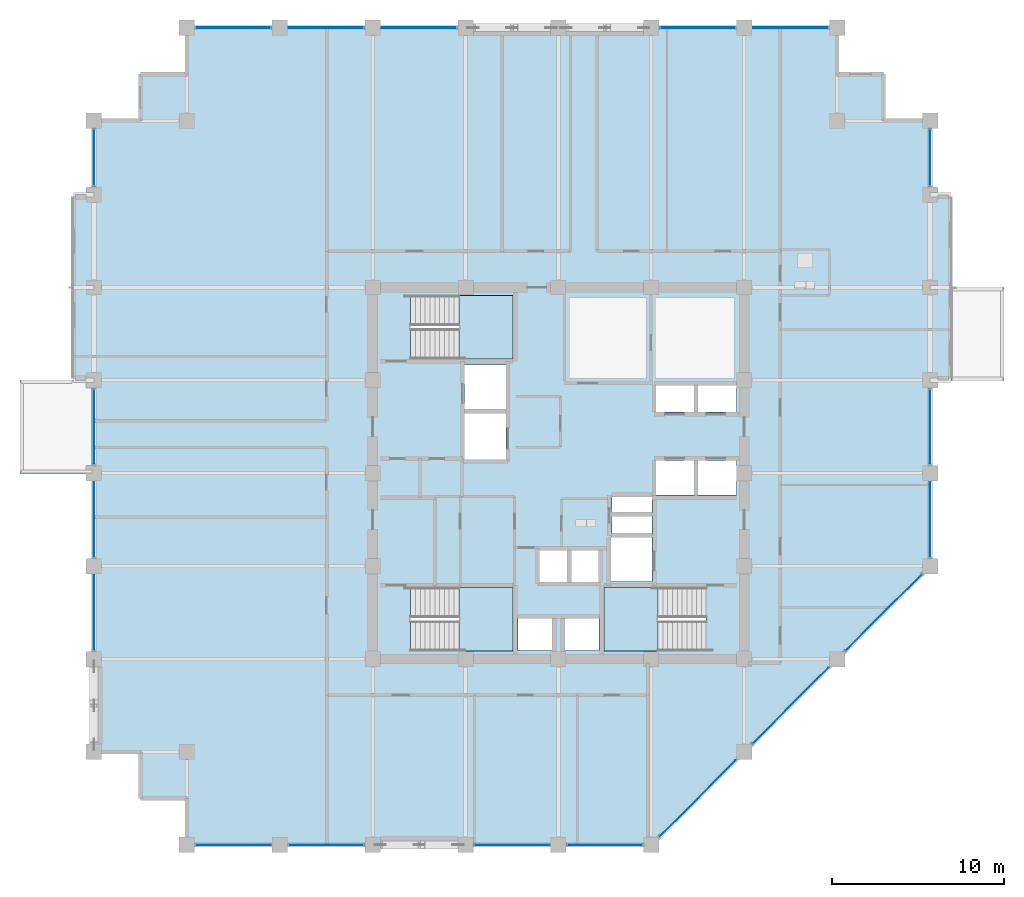
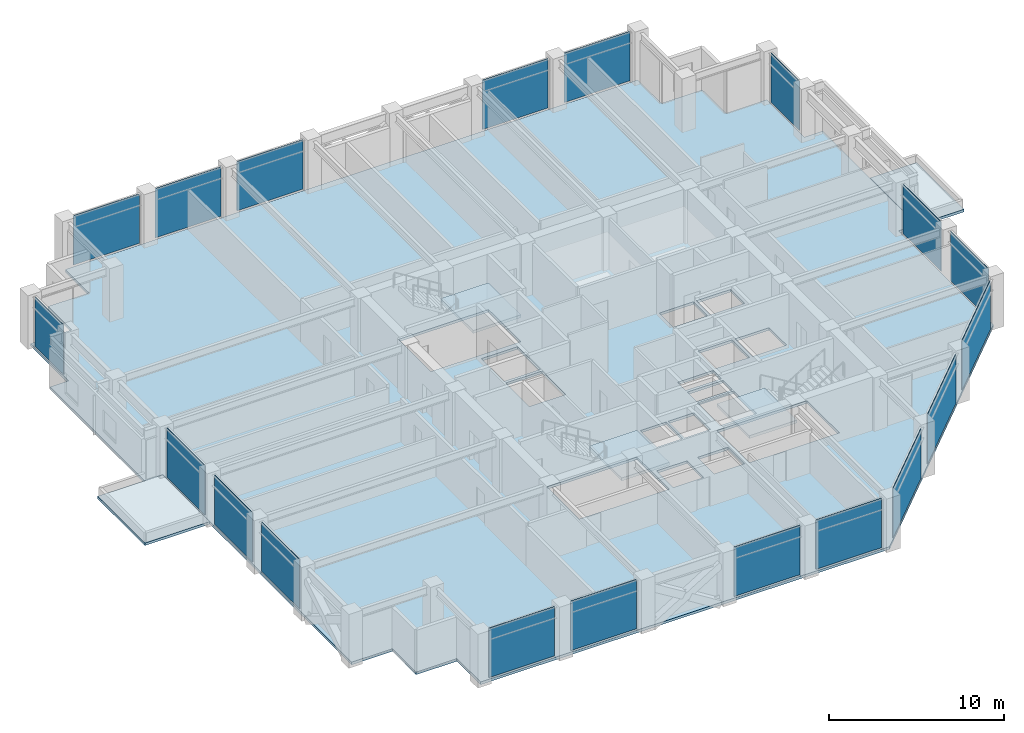
# One storey, part 21 of 28: 19 plates, 6 slabs, 12 elements without a shape of their own.
"""IFC4 building model written with IfcOpenShell, lengths in metres."""

from ifc_helpers import new_model, si_unit, direction, frame, frame_2d, origin, place, context, subcontext, project, spatial, polyline, rectangle, outline, extrude, material, layer, layer_set, type_object, element, aggregate, save


model = new_model("IFC4")

# Units and contexts
model_context = context("Model", 3, precision=1e-05, world=origin(), true_north=direction((0.0, 1.0)))
body_context = subcontext(model_context, "Body", "Model", "MODEL_VIEW")
ifc_project = project(units=[si_unit("LENGTHUNIT", "METRE"), si_unit("AREAUNIT", "SQUARE_METRE"), si_unit("VOLUMEUNIT", "CUBIC_METRE"), si_unit("PLANEANGLEUNIT", "RADIAN"), si_unit("MASSUNIT", "GRAM", prefix="KILO")], contexts=[model_context])

# Site, building, storey
site_placement = place(None, origin())
site = spatial("IfcSite", under=ifc_project, at=site_placement, CompositionType="ELEMENT")
building_placement = place(site_placement, origin())
building = spatial("IfcBuilding", under=site, at=building_placement, Name="Surkhivell Harbour Commons", CompositionType="ELEMENT")
storey_placement = place(building_placement, frame((0.0, 0.0, 182.25)))
storey = spatial("IfcBuildingStorey", under=building, at=storey_placement, Name="L47", CompositionType="ELEMENT", Elevation=182.25)

# Curtain wall, plates
ifc_material_1 = material(Name="Anodised pale-metal aluminium and insulated glazing", Category="aluminium")
ifc_layer_1 = layer(ifc_material_1, 0.18994140625)
ifc_layer_set_1 = layer_set([ifc_layer_1], Name="Anodised pale-metal aluminium and insulated glazing")
curtain_wall_type = type_object("IfcCurtainWallType", Name="CW-SYS-Z3", PredefinedType="NOTDEFINED", material=ifc_layer_set_1)
curtain_wall_1_placement = place(storey_placement, origin())
curtain_wall_1 = element("IfcCurtainWall", 1, at=curtain_wall_1_placement, inside=storey, type_object=curtain_wall_type, Name="L47 Curtain Wall CW-L47-E00S1", PredefinedType="NOTDEFINED")
ifc_material_2 = material(Name="High-pressure typhoon laminated vision glass", Category="glass")
ifc_layer_2 = layer(ifc_material_2, 0.035888671875)
ifc_layer_set_2 = layer_set([ifc_layer_2], Name="High-pressure typhoon laminated vision glass")
plate_type = type_object("IfcPlateType", Name="CWP-GLZ-36", PredefinedType="CURTAIN_PANEL", material=ifc_layer_set_2)
plate_1_placement = place(storey_placement, frame((-21.072998046875, -21.60009765625, 0.1298828125), z_axis=(0.0, 0.0, 1.0), x_axis=(1.0, 0.0, 0.0)))
plate_1 = element("IfcPlate", 2, at=plate_1_placement, type_object=plate_type, Name="CW-Z3 panel 1.1", PredefinedType="CURTAIN_PANEL", context=body_context, shape_type="SweptSolid", body=[
    extrude(rectangle(XDim=4.345947265625, YDim=0.035888671875, at=frame_2d((2.1728515625, 0.0))), origin(), (0.0, 0.0, 1.0), 3.440185546875),
])
plate_2_placement = place(storey_placement, frame((-15.673095703125, -21.60009765625, 0.1298828125), z_axis=(0.0, 0.0, 1.0), x_axis=(1.0, 0.0, 0.0)))
plate_2 = element("IfcPlate", 3, at=plate_2_placement, type_object=plate_type, Name="CW-Z3 panel 2.1", PredefinedType="CURTAIN_PANEL", context=body_context, shape_type="SweptSolid", body=[
    extrude(rectangle(XDim=4.34619140625, YDim=0.035888671875, at=frame_2d((2.173095703125, 0.0))), origin(), (0.0, 0.0, 1.0), 3.440185546875),
])
aggregate(curtain_wall_1, [plate_1, plate_2])

curtain_wall_2_placement = place(storey_placement, origin())
curtain_wall_2 = element("IfcCurtainWall", 4, at=curtain_wall_2_placement, inside=storey, type_object=curtain_wall_type, Name="L47 Curtain Wall CW-L47-E00S2", PredefinedType="NOTDEFINED")
plate_3_placement = place(storey_placement, frame((-4.873046875, -21.60009765625, 0.1298828125), z_axis=(0.0, 0.0, 1.0), x_axis=(1.0, 0.0, 0.0)))
plate_3 = element("IfcPlate", 5, at=plate_3_placement, type_object=plate_type, Name="CW-Z3 panel 1.1", PredefinedType="CURTAIN_PANEL", context=body_context, shape_type="SweptSolid", body=[
    extrude(rectangle(XDim=4.345947265625, YDim=0.035888671875, at=frame_2d((2.1728515625, 0.0))), origin(), (0.0, 0.0, 1.0), 3.440185546875),
])
plate_4_placement = place(storey_placement, frame((0.527099609375, -21.60009765625, 0.1298828125), z_axis=(0.0, 0.0, 1.0), x_axis=(1.0, 0.0, 0.0)))
plate_4 = element("IfcPlate", 6, at=plate_4_placement, type_object=plate_type, Name="CW-Z3 panel 2.1", PredefinedType="CURTAIN_PANEL", context=body_context, shape_type="SweptSolid", body=[
    extrude(rectangle(XDim=4.345947265625, YDim=0.035888671875, at=frame_2d((2.1728515625, 0.0))), origin(), (0.0, 0.0, 1.0), 3.440185546875),
])
aggregate(curtain_wall_2, [plate_3, plate_4])

curtain_wall_3_placement = place(storey_placement, origin())
curtain_wall_3 = element("IfcCurtainWall", 7, at=curtain_wall_3_placement, inside=storey, type_object=curtain_wall_type, Name="L47 Curtain Wall CW-L47-E01", PredefinedType="NOTDEFINED")
plate_5_placement = place(storey_placement, frame((5.90478515625, -21.09521484375, 0.1298828125), z_axis=(0.0, 0.0, 1.0), x_axis=(0.707106781187, 0.707106781187, 0.0)))
plate_5 = element("IfcPlate", 8, at=plate_5_placement, type_object=plate_type, Name="CW-Z3 panel 1.1", PredefinedType="CURTAIN_PANEL", context=body_context, shape_type="SweptSolid", body=[
    extrude(rectangle(XDim=6.209228515625, YDim=0.035888671875, at=frame_2d((3.1044921875, 0.0))), origin(), (0.0, 0.0, 1.0), 3.440185546875),
])
plate_6_placement = place(storey_placement, frame((11.3046875, -15.6953125, 0.1298828125), z_axis=(0.0, 0.0, 1.0), x_axis=(0.707106781187, 0.707106781187, 0.0)))
plate_6 = element("IfcPlate", 9, at=plate_6_placement, type_object=plate_type, Name="CW-Z3 panel 2.1", PredefinedType="CURTAIN_PANEL", context=body_context, shape_type="SweptSolid", body=[
    extrude(rectangle(XDim=6.209228515625, YDim=0.035888671875, at=frame_2d((3.1044921875, 0.0))), origin(), (0.0, 0.0, 1.0), 3.440185546875),
])
plate_7_placement = place(storey_placement, frame((16.70458984375, -10.29541015625, 0.1298828125), z_axis=(0.0, 0.0, 1.0), x_axis=(0.707106781187, 0.707106781187, 0.0)))
plate_7 = element("IfcPlate", 10, at=plate_7_placement, type_object=plate_type, Name="CW-Z3 panel 3.1", PredefinedType="CURTAIN_PANEL", context=body_context, shape_type="SweptSolid", body=[
    extrude(rectangle(XDim=6.209228515625, YDim=0.035888671875, at=frame_2d((3.1044921875, 0.0))), origin(), (0.0, 0.0, 1.0), 3.440185546875),
])
aggregate(curtain_wall_3, [plate_5, plate_6, plate_7])

curtain_wall_4_placement = place(storey_placement, origin())
curtain_wall_4 = element("IfcCurtainWall", 11, at=curtain_wall_4_placement, inside=storey, type_object=curtain_wall_type, Name="L47 Curtain Wall CW-L47-E02R1", PredefinedType="NOTDEFINED")
plate_8_placement = place(storey_placement, frame((21.60009765625, -4.873046875, 0.1298828125), z_axis=(0.0, 0.0, 1.0), x_axis=(0.0, 1.0, 0.0)))
plate_8 = element("IfcPlate", 12, at=plate_8_placement, type_object=plate_type, Name="CW-Z3 panel 1.1", PredefinedType="CURTAIN_PANEL", context=body_context, shape_type="SweptSolid", body=[
    extrude(rectangle(XDim=4.345947265625, YDim=0.035888671875, at=frame_2d((2.1728515625, 0.0))), origin(), (0.0, 0.0, 1.0), 3.440185546875),
])
plate_9_placement = place(storey_placement, frame((21.60009765625, 0.527099609375, 0.1298828125), z_axis=(0.0, 0.0, 1.0), x_axis=(0.0, 1.0, 0.0)))
plate_9 = element("IfcPlate", 13, at=plate_9_placement, type_object=plate_type, Name="CW-Z3 panel 2.1", PredefinedType="CURTAIN_PANEL", context=body_context, shape_type="SweptSolid", body=[
    extrude(rectangle(XDim=4.345947265625, YDim=0.035888671875, at=frame_2d((2.1728515625, 0.0))), origin(), (0.0, 0.0, 1.0), 3.440185546875),
])
aggregate(curtain_wall_4, [plate_8, plate_9])

# Curtain wall, plate
curtain_wall_5_placement = place(storey_placement, origin())
curtain_wall_5 = element("IfcCurtainWall", 14, at=curtain_wall_5_placement, inside=storey, type_object=curtain_wall_type, Name="L47 Curtain Wall CW-L47-E02R2", PredefinedType="NOTDEFINED")
plate_10_placement = place(storey_placement, frame((21.60009765625, 16.72705078125, 0.1298828125), z_axis=(0.0, 0.0, 1.0), x_axis=(0.0, 1.0, 0.0)))
plate_10 = element("IfcPlate", 15, at=plate_10_placement, type_object=plate_type, Name="CW-Z3 panel 1.1", PredefinedType="CURTAIN_PANEL", context=body_context, shape_type="SweptSolid", body=[
    extrude(rectangle(XDim=3.245849609375, YDim=0.035888671875, at=frame_2d((1.623046875, 0.0))), origin(), (0.0, 0.0, 1.0), 3.440185546875),
])
aggregate(curtain_wall_5, [plate_10])

# Curtain wall, plates
curtain_wall_6_placement = place(storey_placement, origin())
curtain_wall_6 = element("IfcCurtainWall", 16, at=curtain_wall_6_placement, inside=storey, type_object=curtain_wall_type, Name="L47 Curtain Wall CW-L47-E07S1", PredefinedType="NOTDEFINED")
plate_11_placement = place(storey_placement, frame((15.673095703125, 25.89990234375, 0.1298828125), z_axis=(0.0, 0.0, 1.0), x_axis=(-1.0, 0.0, 0.0)))
plate_11 = element("IfcPlate", 17, at=plate_11_placement, type_object=plate_type, Name="CW-Z3 panel 1.1", PredefinedType="CURTAIN_PANEL", context=body_context, shape_type="SweptSolid", body=[
    extrude(rectangle(XDim=4.34619140625, YDim=0.035888671875, at=frame_2d((2.173095703125, 0.0))), origin(), (0.0, 0.0, 1.0), 3.440185546875),
])
plate_12_placement = place(storey_placement, frame((10.27294921875, 25.89990234375, 0.1298828125), z_axis=(0.0, 0.0, 1.0), x_axis=(-1.0, 0.0, 0.0)))
plate_12 = element("IfcPlate", 18, at=plate_12_placement, type_object=plate_type, Name="CW-Z3 panel 2.1", PredefinedType="CURTAIN_PANEL", context=body_context, shape_type="SweptSolid", body=[
    extrude(rectangle(XDim=4.345947265625, YDim=0.035888671875, at=frame_2d((2.1728515625, 0.0))), origin(), (0.0, 0.0, 1.0), 3.440185546875),
])
aggregate(curtain_wall_6, [plate_11, plate_12])

curtain_wall_7_placement = place(storey_placement, origin())
curtain_wall_7 = element("IfcCurtainWall", 19, at=curtain_wall_7_placement, inside=storey, type_object=curtain_wall_type, Name="L47 Curtain Wall CW-L47-E07S2", PredefinedType="NOTDEFINED")
plate_13_placement = place(storey_placement, frame((-5.927001953125, 25.89990234375, 0.1298828125), z_axis=(0.0, 0.0, 1.0), x_axis=(-1.0, 0.0, 0.0)))
plate_13 = element("IfcPlate", 20, at=plate_13_placement, type_object=plate_type, Name="CW-Z3 panel 1.1", PredefinedType="CURTAIN_PANEL", context=body_context, shape_type="SweptSolid", body=[
    extrude(rectangle(XDim=4.345947265625, YDim=0.035888671875, at=frame_2d((2.1728515625, 0.0))), origin(), (0.0, 0.0, 1.0), 3.440185546875),
])
plate_14_placement = place(storey_placement, frame((-11.326904296875, 25.89990234375, 0.1298828125), z_axis=(0.0, 0.0, 1.0), x_axis=(-1.0, 0.0, 0.0)))
plate_14 = element("IfcPlate", 21, at=plate_14_placement, type_object=plate_type, Name="CW-Z3 panel 2.1", PredefinedType="CURTAIN_PANEL", context=body_context, shape_type="SweptSolid", body=[
    extrude(rectangle(XDim=4.34619140625, YDim=0.035888671875, at=frame_2d((2.173095703125, 0.0))), origin(), (0.0, 0.0, 1.0), 3.440185546875),
])
plate_15_placement = place(storey_placement, frame((-16.72705078125, 25.89990234375, 0.1298828125), z_axis=(0.0, 0.0, 1.0), x_axis=(-1.0, 0.0, 0.0)))
plate_15 = element("IfcPlate", 22, at=plate_15_placement, type_object=plate_type, Name="CW-Z3 panel 3.1", PredefinedType="CURTAIN_PANEL", context=body_context, shape_type="SweptSolid", body=[
    extrude(rectangle(XDim=4.345947265625, YDim=0.035888671875, at=frame_2d((2.1728515625, 0.0))), origin(), (0.0, 0.0, 1.0), 3.440185546875),
])
aggregate(curtain_wall_7, [plate_13, plate_14, plate_15])

curtain_wall_8_placement = place(storey_placement, origin())
curtain_wall_8 = element("IfcCurtainWall", 23, at=curtain_wall_8_placement, inside=storey, type_object=curtain_wall_type, Name="L47 Curtain Wall CW-L47-E12R1S1", PredefinedType="NOTDEFINED")
plate_16_placement = place(storey_placement, frame((-27.0, -10.27294921875, 0.1298828125), z_axis=(0.0, 0.0, 1.0), x_axis=(0.0, 1.0, 0.0)))
plate_16 = element("IfcPlate", 24, at=plate_16_placement, type_object=plate_type, Name="CW-Z3 panel 1.1", PredefinedType="CURTAIN_PANEL", context=body_context, shape_type="SweptSolid", body=[
    extrude(rectangle(XDim=4.345947265625, YDim=0.035888671875, at=frame_2d((2.1728515625, 0.0))), origin(), (0.0, 0.0, 1.0), 3.440185546875),
])
plate_17_placement = place(storey_placement, frame((-27.0, -4.873046875, 0.1298828125), z_axis=(0.0, 0.0, 1.0), x_axis=(0.0, 1.0, 0.0)))
plate_17 = element("IfcPlate", 25, at=plate_17_placement, type_object=plate_type, Name="CW-Z3 panel 2.1", PredefinedType="CURTAIN_PANEL", context=body_context, shape_type="SweptSolid", body=[
    extrude(rectangle(XDim=4.345947265625, YDim=0.035888671875, at=frame_2d((2.1728515625, 0.0))), origin(), (0.0, 0.0, 1.0), 3.440185546875),
])
plate_18_placement = place(storey_placement, frame((-27.0, 0.527099609375, 0.1298828125), z_axis=(0.0, 0.0, 1.0), x_axis=(0.0, 1.0, 0.0)))
plate_18 = element("IfcPlate", 26, at=plate_18_placement, type_object=plate_type, Name="CW-Z3 panel 3.1", PredefinedType="CURTAIN_PANEL", context=body_context, shape_type="SweptSolid", body=[
    extrude(rectangle(XDim=4.345947265625, YDim=0.035888671875, at=frame_2d((2.1728515625, 0.0))), origin(), (0.0, 0.0, 1.0), 3.440185546875),
])
aggregate(curtain_wall_8, [plate_16, plate_17, plate_18])

# Curtain wall, plate
curtain_wall_9_placement = place(storey_placement, origin())
curtain_wall_9 = element("IfcCurtainWall", 27, at=curtain_wall_9_placement, inside=storey, type_object=curtain_wall_type, Name="L47 Curtain Wall CW-L47-E12R2", PredefinedType="NOTDEFINED")
plate_19_placement = place(storey_placement, frame((-27.0, 16.72705078125, 0.1298828125), z_axis=(0.0, 0.0, 1.0), x_axis=(0.0, 1.0, 0.0)))
plate_19 = element("IfcPlate", 28, at=plate_19_placement, type_object=plate_type, Name="CW-Z3 panel 1.1", PredefinedType="CURTAIN_PANEL", context=body_context, shape_type="SweptSolid", body=[
    extrude(rectangle(XDim=3.245849609375, YDim=0.035888671875, at=frame_2d((1.623046875, 0.0))), origin(), (0.0, 0.0, 1.0), 3.440185546875),
])
aggregate(curtain_wall_9, [plate_19])

# Slabs
ifc_material_3 = material(Name="Concrete C45/55", Category="concrete")
ifc_layer_3 = layer(ifc_material_3, 0.179931640625)
ifc_layer_set_3 = layer_set([ifc_layer_3], Name="Concrete C45/55")
slab_type_1 = type_object("IfcSlabType", Name="SLB-BOXRF-180", PredefinedType="ROOF", material=ifc_layer_set_3)
slab_1_placement = place(storey_placement, frame((0.0, 0.0, -0.179931640625)))
element("IfcSlab", 29, at=slab_1_placement, inside=storey, type_object=slab_type_1, Name="L47 Closed Box-Cluster Roof Slab 1", PredefinedType="ROOF", context=body_context, shape_type="SweptSolid", body=[
    extrude(outline(polyline([(25.89990234375, 10.800048828125), (22.820068359375, 10.800048828125), (22.820068359375, 5.39990234375), (25.89990234375, 5.39990234375), (25.89990234375, 10.800048828125)])), origin(), (0.0, 0.0, 1.0), 0.179931640625),
])
slab_2_placement = place(storey_placement, frame((0.0, 0.0, -0.179931640625)))
element("IfcSlab", 30, at=slab_2_placement, inside=storey, type_object=slab_type_1, Name="L47 Closed Box-Cluster Roof Slab 2", PredefinedType="ROOF", context=body_context, shape_type="SweptSolid", body=[
    extrude(outline(polyline([(-31.300048828125, 0.0), (-27.02001953125, 0.0), (-27.02001953125, 5.3798828125), (-28.199951171875, 5.3798828125), (-28.201904296875, 5.380126953125), (-28.203857421875, 5.38037109375), (-28.205810546875, 5.380859375), (-28.207763671875, 5.381591796875), (-28.20947265625, 5.38232421875), (-28.211181640625, 5.38330078125), (-28.212646484375, 5.384521484375), (-28.214111328125, 5.3857421875), (-28.215576171875, 5.38720703125), (-28.216552734375, 5.388916015625), (-28.223388671875, 5.39990234375), (-31.300048828125, 5.39990234375), (-31.300048828125, 0.0)])), origin(), (0.0, 0.0, 1.0), 0.179931640625),
])

# Stair, slab
ifc_material_4 = material(Name="Precast concrete C45/55", Category="concrete")
stair_type = type_object("IfcStairType", Name="STR-DL-375", PredefinedType="HALF_TURN_STAIR", material=ifc_material_4)
stair_1_placement = place(storey_placement, origin())
stair_1 = element("IfcStair", 31, at=stair_1_placement, inside=storey, type_object=stair_type, Name="L47 Core Exit Stair ST1", PredefinedType="HALF_TURN_STAIR")
ifc_material_5 = material(Name="Reinforced concrete C45/55", Category="concrete")
ifc_layer_4 = layer(ifc_material_5, 0.199951171875)
ifc_layer_set_4 = layer_set([ifc_layer_4], Name="Reinforced concrete C45/55")
slab_type_2 = type_object("IfcSlabType", Name="SLB-ST-LND200", PredefinedType="LANDING", material=ifc_layer_set_4)
slab_3_placement = place(storey_placement, frame((0.0, 0.0, 1.675048828125)))
slab_3 = element("IfcSlab", 32, at=slab_3_placement, type_object=slab_type_2, Name="ST1 landing 1", PredefinedType="LANDING", context=body_context, shape_type="SweptSolid", body=[
    extrude(outline(polyline([(-5.7900390625, 6.639892578125), (-2.639892578125, 6.639892578125), (-2.639892578125, 10.340087890625), (-5.7900390625, 10.340087890625), (-5.7900390625, 6.639892578125)])), origin(), (0.0, 0.0, 1.0), 0.199951171875),
])
aggregate(stair_1, [slab_3])

stair_2_placement = place(storey_placement, origin())
stair_2 = element("IfcStair", 33, at=stair_2_placement, inside=storey, type_object=stair_type, Name="L47 Core Exit Stair ST2", PredefinedType="HALF_TURN_STAIR")
slab_4_placement = place(storey_placement, frame((0.0, 0.0, 1.675048828125)))
slab_4 = element("IfcSlab", 34, at=slab_4_placement, type_object=slab_type_2, Name="ST2 landing 1", PredefinedType="LANDING", context=body_context, shape_type="SweptSolid", body=[
    extrude(outline(polyline([(5.7900390625, -6.639892578125), (2.639892578125, -6.639892578125), (2.639892578125, -10.340087890625), (5.7900390625, -10.340087890625), (5.7900390625, -6.639892578125)])), origin(), (0.0, 0.0, 1.0), 0.199951171875),
])
aggregate(stair_2, [slab_4])

stair_3_placement = place(storey_placement, origin())
stair_3 = element("IfcStair", 35, at=stair_3_placement, inside=storey, type_object=stair_type, Name="L47 Core Exit Stair ST3", PredefinedType="HALF_TURN_STAIR")
slab_5_placement = place(storey_placement, frame((0.0, 0.0, 1.675048828125)))
slab_5 = element("IfcSlab", 36, at=slab_5_placement, type_object=slab_type_2, Name="ST3 landing 1", PredefinedType="LANDING", context=body_context, shape_type="SweptSolid", body=[
    extrude(outline(polyline([(-5.7900390625, -10.340087890625), (-2.639892578125, -10.340087890625), (-2.639892578125, -6.639892578125), (-5.7900390625, -6.639892578125), (-5.7900390625, -10.340087890625)])), origin(), (0.0, 0.0, 1.0), 0.199951171875),
])
aggregate(stair_3, [slab_5])

# Slab
ifc_layer_5 = layer(ifc_material_3, 0.179931640625)
ifc_layer_set_5 = layer_set([ifc_layer_5], Name="Concrete C45/55")
slab_type_3 = type_object("IfcSlabType", Name="SLB-TYP-180", PredefinedType="FLOOR", material=ifc_layer_set_5)
slab_6_placement = place(storey_placement, frame((0.0, 0.0, -0.179931640625)))
element("IfcSlab", 37, at=slab_6_placement, inside=storey, type_object=slab_type_3, Name="L47 Structural Floor Slab", PredefinedType="FLOOR", context=body_context, shape_type="SweptSolid", body=[
    extrude(outline(polyline([(-27.0, 20.5), (-27.0, 16.199951171875), (-28.199951171875, 16.199951171875), (-28.199951171875, 5.39990234375), (-27.0, 5.39990234375), (-27.0, -16.199951171875), (-24.300048828125, -16.199951171875), (-24.300048828125, -18.89990234375), (-21.60009765625, -18.89990234375), (-21.60009765625, -21.60009765625), (5.39990234375, -21.60009765625), (21.60009765625, -5.39990234375), (21.60009765625, 5.39990234375), (22.800048828125, 5.39990234375), (22.800048828125, 16.199951171875), (21.60009765625, 16.199951171875), (21.60009765625, 20.5), (18.89990234375, 20.5), (18.89990234375, 23.199951171875), (16.199951171875, 23.199951171875), (16.199951171875, 25.89990234375), (-21.60009765625, 25.89990234375), (-21.60009765625, 23.199951171875), (-24.300048828125, 23.199951171875), (-24.300048828125, 20.5), (-27.0, 20.5)]), holes=[polyline([(-8.590087890625, 6.639892578125), (-2.639892578125, 6.639892578125), (-2.639892578125, 10.340087890625), (-8.590087890625, 10.340087890625), (-8.590087890625, 6.639892578125)]), polyline([(8.590087890625, -6.639892578125), (2.639892578125, -6.639892578125), (2.639892578125, -10.340087890625), (8.590087890625, -10.340087890625), (8.590087890625, -6.639892578125)]), polyline([(-8.590087890625, -10.340087890625), (-2.639892578125, -10.340087890625), (-2.639892578125, -6.639892578125), (-8.590087890625, -6.639892578125), (-8.590087890625, -10.340087890625)]), polyline([(5.64990234375, 3.550048828125), (7.89990234375, 3.550048828125), (7.89990234375, 5.14990234375), (5.64990234375, 5.14990234375), (5.64990234375, 3.550048828125)]), polyline([(8.10009765625, 3.550048828125), (10.35009765625, 3.550048828125), (10.35009765625, 5.14990234375), (8.10009765625, 5.14990234375), (8.10009765625, 3.550048828125)]), polyline([(5.64990234375, -1.25), (7.89990234375, -1.25), (7.89990234375, 0.75), (5.64990234375, 0.75), (5.64990234375, -1.25)]), polyline([(8.10009765625, -1.25), (10.35009765625, -1.25), (10.35009765625, 0.75), (8.10009765625, 0.75), (8.10009765625, -1.25)]), polyline([(-1.14990234375, -6.35009765625), (0.550048828125, -6.35009765625), (0.550048828125, -4.449951171875), (-1.14990234375, -4.449951171875), (-1.14990234375, -6.35009765625)]), polyline([(0.679931640625, -6.35009765625), (2.3798828125, -6.35009765625), (2.3798828125, -4.449951171875), (0.679931640625, -4.449951171875), (0.679931640625, -6.35009765625)]), polyline([(-2.35009765625, -10.300048828125), (-0.35009765625, -10.300048828125), (-0.35009765625, -8.39990234375), (-2.35009765625, -8.39990234375), (-2.35009765625, -10.300048828125)]), polyline([(0.35009765625, -10.300048828125), (2.35009765625, -10.300048828125), (2.35009765625, -8.39990234375), (0.35009765625, -8.39990234375), (0.35009765625, -10.300048828125)]), polyline([(-5.449951171875, 3.699951171875), (-3.050048828125, 3.699951171875), (-3.050048828125, 6.300048828125), (-5.449951171875, 6.300048828125), (-5.449951171875, 3.699951171875)]), polyline([(3.050048828125, -6.300048828125), (5.449951171875, -6.300048828125), (5.449951171875, -3.699951171875), (3.050048828125, -3.699951171875), (3.050048828125, -6.300048828125)]), polyline([(-5.449951171875, 0.800048828125), (-3.050048828125, 0.800048828125), (-3.050048828125, 3.5), (-5.449951171875, 3.5), (-5.449951171875, 0.800048828125)]), polyline([(3.10009765625, -3.550048828125), (5.449951171875, -3.550048828125), (5.449951171875, -2.47998046875), (3.10009765625, -2.47998046875), (3.10009765625, -3.550048828125)]), polyline([(3.10009765625, -2.280029296875), (5.449951171875, -2.280029296875), (5.449951171875, -1.35009765625), (3.10009765625, -1.35009765625), (3.10009765625, -2.280029296875)])]), origin(), (0.0, 0.0, 1.0), 0.179931640625),
])

save(model, "model.ifc")
